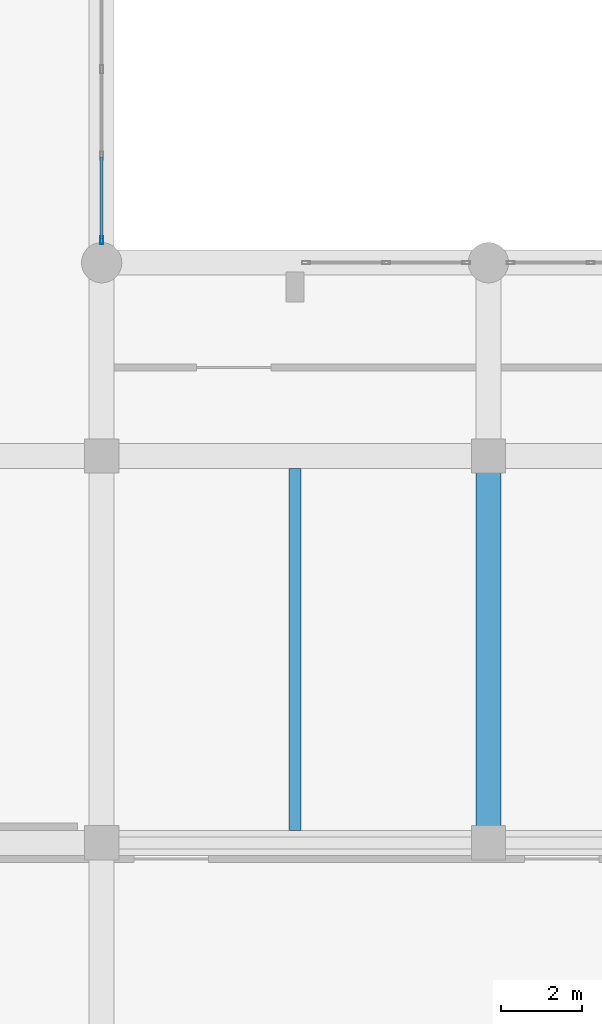
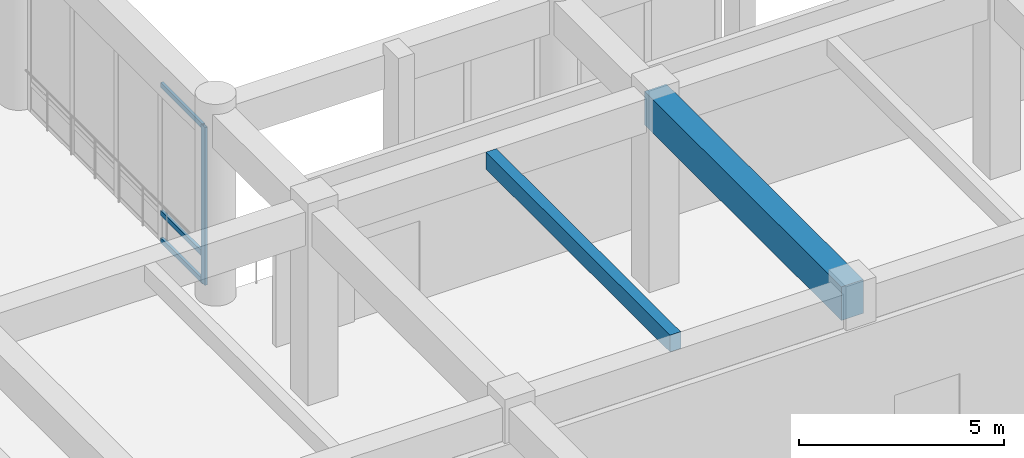
# One storey, part 16 of 87: 4 members, 2 beams, 1 element without a shape of its own.
"""IFC4 building model written with IfcOpenShell, lengths in metres."""

from ifc_helpers import new_model, si_unit, direction, frame, origin, origin_2d, place, context, subcontext, project, spatial, rectangle, hollow_rectangle, extrude, material, layer, layer_set, material_profile, profile_set, type_object, element, aggregate, save


model = new_model("IFC4")

# Units and contexts
model_context = context("Model", 3, precision=1e-05, world=origin(), true_north=direction((0.0, 1.0)))
body_context = subcontext(model_context, "Body", "Model", "MODEL_VIEW")
ifc_project = project(units=[si_unit("LENGTHUNIT", "METRE"), si_unit("AREAUNIT", "SQUARE_METRE"), si_unit("VOLUMEUNIT", "CUBIC_METRE"), si_unit("PLANEANGLEUNIT", "RADIAN"), si_unit("MASSUNIT", "GRAM", prefix="KILO")], contexts=[model_context])

# Site, building, storey
site_placement = place(None, origin())
site = spatial("IfcSite", under=ifc_project, at=site_placement, CompositionType="ELEMENT")
building_placement = place(site_placement, origin())
building = spatial("IfcBuilding", under=site, at=building_placement, Name="Nakhvara Creek Congress Hotel", CompositionType="ELEMENT")
storey_placement = place(building_placement, origin())
storey = spatial("IfcBuildingStorey", under=building, at=storey_placement, Name="L00", CompositionType="ELEMENT", Elevation=0.0)

# Beams
ifc_material_1 = material(Name="Concrete C40/50", Category="concrete")
ifc_material_profile_1 = material_profile(ifc_material_1, rectangle(XDim=0.300048828125, YDim=0.5, at=origin_2d()), Name="RC-BM 300x500", Category="LoadBearing")
ifc_profile_set_1 = profile_set([ifc_material_profile_1], Name="Concrete C40/50")
beam_type_1 = type_object("IfcBeamType", Name="BM-JST-300X500", PredefinedType="JOIST", material=ifc_profile_set_1)
beam_1_placement = place(storey_placement, frame((81.60009765625, 29.110107421875, 5.449951171875), z_axis=(0.0, 1.0, 0.0), x_axis=(-1.0, 0.0, 0.0)))
element("IfcBeam", 1, at=beam_1_placement, inside=storey, type_object=beam_type_1, Name="Secondary Joist BJ1-L00-1034", PredefinedType="JOIST", context=body_context, shape_type="SweptSolid", body=[
    extrude(rectangle(XDim=0.300048828125, YDim=0.5, at=origin_2d()), origin(), (0.0, 0.0, 1.0), 8.97998046875),
])
ifc_material_2 = material(Name="Concrete C50/60", Category="concrete")
ifc_material_profile_2 = material_profile(ifc_material_2, rectangle(XDim=0.6201171875, YDim=1.0, at=origin_2d()), Name="RC-BM 620x1000", Category="LoadBearing")
ifc_profile_set_2 = profile_set([ifc_material_profile_2], Name="Concrete C50/60")
beam_type_2 = type_object("IfcBeamType", Name="BM-RC-620X1000", PredefinedType="BEAM", material=ifc_profile_set_2)
beam_2_placement = place(storey_placement, frame((86.39990234375, 28.800048828125, 5.199951171875), z_axis=(0.0, 1.0, 0.0), x_axis=(-1.0, 0.0, 0.0)))
element("IfcBeam", 2, at=beam_2_placement, inside=storey, type_object=beam_type_2, Name="Beam B16-L00-0832", PredefinedType="BEAM", context=body_context, shape_type="SweptSolid", body=[
    extrude(rectangle(XDim=0.6201171875, YDim=1.0, at=origin_2d()), origin(), (0.0, 0.0, 1.0), 9.599853515625),
])

# Curtain wall, members
ifc_material_3 = material(Name="Bronze-anodised aluminium AW-6063-T6 and double-silver low-E glass", Category="aluminium")
ifc_layer = layer(ifc_material_3, 0.199951171875)
ifc_layer_set = layer_set([ifc_layer], Name="Bronze-anodised aluminium AW-6063-T6 and double-silver low-E glass")
curtain_wall_type = type_object("IfcCurtainWallType", Name="CW-POD-STICK", PredefinedType="NOTDEFINED", material=ifc_layer_set)
curtain_wall_placement = place(storey_placement, origin())
curtain_wall = element("IfcCurtainWall", 3, at=curtain_wall_placement, inside=storey, type_object=curtain_wall_type, Name="Curtain Wall CW011", PredefinedType="NOTDEFINED")
ifc_material_4 = material(Name="Bronze-anodised aluminium AW-6063-T6", Category="aluminium")
ifc_material_profile_3 = material_profile(ifc_material_4, hollow_rectangle(XDim=0.074951171875, YDim=0.199951171875, WallThickness=0.0048828125, at=origin_2d()), Name="ALU-MULL 75x200x5", Category="LoadBearing")
ifc_profile_set_3 = profile_set([ifc_material_profile_3], Name="Bronze-anodised aluminium AW-6063-T6")
member_type_1 = type_object("IfcMemberType", Name="CW-MULL-200", PredefinedType="MULLION", material=ifc_profile_set_3)
member_1_placement = place(storey_placement, frame((76.800048828125, 43.75244140625, 0.0), z_axis=(0.0, 0.0, 1.0), x_axis=(1.0, 0.0, 0.0)))
member_1 = element("IfcMember", 4, at=member_1_placement, type_object=member_type_1, Name="CW011 mullion 5", PredefinedType="MULLION", context=body_context, shape_type="SweptSolid", body=[
    extrude(hollow_rectangle(XDim=0.074951171875, YDim=0.199951171875, WallThickness=0.0048828125, at=origin_2d()), origin(), (0.0, 0.0, 1.0), 4.69189453125),
])
ifc_material_profile_4 = material_profile(ifc_material_4, hollow_rectangle(XDim=0.074951171875, YDim=0.14990234375, WallThickness=0.00390625, at=origin_2d()), Name="ALU-TRAN 75x150x4", Category="LoadBearing")
ifc_profile_set_4 = profile_set([ifc_material_profile_4], Name="Bronze-anodised aluminium AW-6063-T6")
member_type_2 = type_object("IfcMemberType", Name="CW-TRAN-150", PredefinedType="USERDEFINED", material=ifc_profile_set_4)
member_2_placement = place(storey_placement, frame((76.800048828125, 45.820068359375, 0.03759765625), z_axis=(0.0, -1.0, 0.0), x_axis=(1.0, 0.0, 0.0)))
member_2 = element("IfcMember", 5, at=member_2_placement, type_object=member_type_2, Name="CW011 transom 4.1", ObjectType="TRANSOM", PredefinedType="USERDEFINED", context=body_context, shape_type="SweptSolid", body=[
    extrude(hollow_rectangle(XDim=0.074951171875, YDim=0.14990234375, WallThickness=0.00390625, at=origin_2d()), origin(), (0.0, 0.0, 1.0), 2.030029296875),
])
member_3_placement = place(storey_placement, frame((76.800048828125, 45.820068359375, 0.85009765625), z_axis=(0.0, -1.0, 0.0), x_axis=(1.0, 0.0, 0.0)))
member_3 = element("IfcMember", 6, at=member_3_placement, type_object=member_type_2, Name="CW011 transom 4.2", ObjectType="TRANSOM", PredefinedType="USERDEFINED", context=body_context, shape_type="SweptSolid", body=[
    extrude(hollow_rectangle(XDim=0.074951171875, YDim=0.14990234375, WallThickness=0.00390625, at=origin_2d()), origin(), (0.0, 0.0, 1.0), 2.030029296875),
])
member_4_placement = place(storey_placement, frame((76.800048828125, 45.820068359375, 4.654541015625), z_axis=(0.0, -1.0, 0.0), x_axis=(1.0, 0.0, 0.0)))
member_4 = element("IfcMember", 7, at=member_4_placement, type_object=member_type_2, Name="CW011 transom 4.3", ObjectType="TRANSOM", PredefinedType="USERDEFINED", context=body_context, shape_type="SweptSolid", body=[
    extrude(hollow_rectangle(XDim=0.074951171875, YDim=0.14990234375, WallThickness=0.00390625, at=origin_2d()), origin(), (0.0, 0.0, 1.0), 2.030029296875),
])
aggregate(curtain_wall, [member_1, member_2, member_3, member_4])

save(model, "model.ifc")
